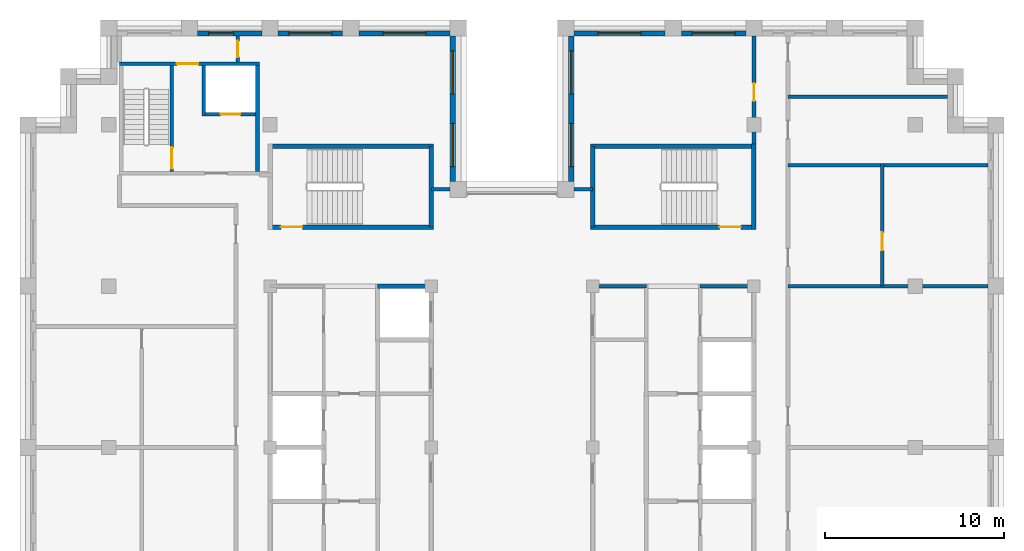
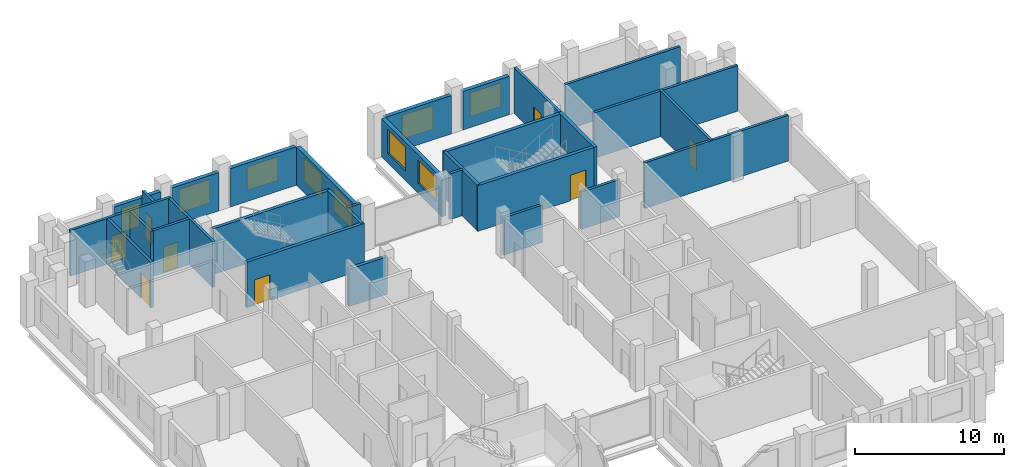
# One storey, part 10 of 13: 30 walls, 9 windows, 8 doors, 17 openings.
"""IFC4 building model written with IfcOpenShell, lengths in metres."""

from ifc_helpers import new_model, si_unit, direction, frame, frame_2d, origin, place, context, subcontext, project, spatial, rectangle, extrude, material, layer, layer_set, type_object, element, fill, save


model = new_model("IFC4")

# Units and contexts
model_context = context("Model", 3, precision=1e-05, world=origin(), true_north=direction((0.0, 1.0)))
body_context = subcontext(model_context, "Body", "Model", "MODEL_VIEW")
ifc_project = project(units=[si_unit("LENGTHUNIT", "METRE"), si_unit("AREAUNIT", "SQUARE_METRE"), si_unit("VOLUMEUNIT", "CUBIC_METRE"), si_unit("PLANEANGLEUNIT", "RADIAN"), si_unit("MASSUNIT", "GRAM", prefix="KILO")], contexts=[model_context])

# Site, building, storey
site_placement = place(None, origin())
site = spatial("IfcSite", under=ifc_project, at=site_placement, CompositionType="ELEMENT")
building_placement = place(site_placement, origin())
building = spatial("IfcBuilding", under=site, at=building_placement, Name="Corbelhall Arena Tower", CompositionType="ELEMENT")
storey_placement = place(building_placement, frame((0.0, 0.0, 304.0)))
storey = spatial("IfcBuildingStorey", under=building, at=storey_placement, Name="L66", CompositionType="ELEMENT", Elevation=304.0)

# Wall, opening, window
ifc_material_1 = material(Name="Precast concrete C40/50 with granite facing", Category="masonry")
ifc_layer_1 = layer(ifc_material_1, 0.300048828125)
ifc_layer_set_1 = layer_set([ifc_layer_1], Name="EV-IW1 Infill panel 300")
wall_type_1 = type_object("IfcWallType", Name="EV-IW1 Infill panel 300", PredefinedType="SOLIDWALL", material=ifc_layer_set_1)
wall_1_placement = place(storey_placement, frame((13.050048828125, 23.10009765625, 0.0), z_axis=(0.0, 0.0, 1.0), x_axis=(-1.0, 0.0, 0.0)))
wall_1 = element("IfcWall", 1, at=wall_1_placement, inside=storey, type_object=wall_type_1, Name="Infill panel IW1", PredefinedType="SOLIDWALL", context=body_context, shape_type="SweptSolid", body=[
    extrude(rectangle(XDim=3.60009765625, YDim=0.300048828125, at=frame_2d((1.800048828125, 0.0))), origin(), (0.0, 0.0, 1.0), 3.139892578125),
])
opening_1_placement = place(wall_1_placement, frame((0.60009765625, 0.0, 0.800048828125)))
opening_1 = element("IfcOpeningElement", 2, at=opening_1_placement, cuts=wall_1, Name="Opening WN1", PredefinedType="OPENING", context=body_context, shape_type="SweptSolid", body=[
    extrude(rectangle(XDim=2.39990234375, YDim=1.949951171875, at=frame_2d((1.199951171875, 0.97509765625))), frame((0.0, 0.14990234375, 0.0), z_axis=(0.0, -1.0, 0.0), x_axis=(1.0, 0.0, 0.0)), (0.0, 0.0, 1.0), 0.300048828125),
])
ifc_material_2 = material(Name="Aluminium black anodised", Category="aluminium")
window_type_1 = type_object("IfcWindowType", Name="EV-WN1 Office window", PartitioningType="SINGLE_PANEL", PredefinedType="WINDOW", material=ifc_material_2)
window_1_placement = place(opening_1_placement, origin())
window_1 = element("IfcWindow", 3, at=window_1_placement, inside=storey, type_object=window_type_1, Name="Window WN1", OverallHeight=1.949951171875, OverallWidth=2.39990234375, PartitioningType="SINGLE_PANEL", PredefinedType="WINDOW", context=body_context, shape_type="SweptSolid", body=[
    extrude(rectangle(XDim=2.39990234375, YDim=1.949951171875, at=frame_2d((1.199951171875, 0.97509765625))), frame((0.0, 0.030029296875, 0.0), z_axis=(0.0, -1.0, 0.0), x_axis=(1.0, 0.0, 0.0)), (0.0, 0.0, 1.0), 0.06005859375),
])
fill(opening_1, window_1)

wall_2_placement = place(storey_placement, frame((8.550048828125, 23.10009765625, 0.0), z_axis=(0.0, 0.0, 1.0), x_axis=(-1.0, 0.0, 0.0)))
wall_2 = element("IfcWall", 4, at=wall_2_placement, inside=storey, type_object=wall_type_1, Name="Infill panel IW1", PredefinedType="SOLIDWALL", context=body_context, shape_type="SweptSolid", body=[
    extrude(rectangle(XDim=5.10009765625, YDim=0.300048828125, at=frame_2d((2.550048828125, 0.0))), origin(), (0.0, 0.0, 1.0), 3.139892578125),
])
opening_2_placement = place(wall_2_placement, frame((1.35009765625, 0.0, 0.800048828125)))
opening_2 = element("IfcOpeningElement", 5, at=opening_2_placement, cuts=wall_2, Name="Opening WN1", PredefinedType="OPENING", context=body_context, shape_type="SweptSolid", body=[
    extrude(rectangle(XDim=2.39990234375, YDim=1.949951171875, at=frame_2d((1.199951171875, 0.97509765625))), frame((0.0, 0.14990234375, 0.0), z_axis=(0.0, -1.0, 0.0), x_axis=(1.0, 0.0, 0.0)), (0.0, 0.0, 1.0), 0.300048828125),
])
window_2_placement = place(opening_2_placement, origin())
window_2 = element("IfcWindow", 6, at=window_2_placement, inside=storey, type_object=window_type_1, Name="Window WN1", OverallHeight=1.949951171875, OverallWidth=2.39990234375, PartitioningType="SINGLE_PANEL", PredefinedType="WINDOW", context=body_context, shape_type="SweptSolid", body=[
    extrude(rectangle(XDim=2.39990234375, YDim=1.949951171875, at=frame_2d((1.199951171875, 0.97509765625))), frame((0.0, 0.030029296875, 0.0), z_axis=(0.0, -1.0, 0.0), x_axis=(1.0, 0.0, 0.0)), (0.0, 0.0, 1.0), 0.06005859375),
])
fill(opening_2, window_2)

# Wall, openings, windows
wall_3_placement = place(storey_placement, frame((3.300048828125, 22.949951171875, 0.0), z_axis=(0.0, 0.0, 1.0), x_axis=(0.0, -1.0, 0.0)))
wall_3 = element("IfcWall", 7, at=wall_3_placement, inside=storey, type_object=wall_type_1, Name="Infill panel IW1", PredefinedType="SOLIDWALL", context=body_context, shape_type="SweptSolid", body=[
    extrude(rectangle(XDim=8.099853515625, YDim=0.300048828125, at=frame_2d((4.0498046875, 0.0))), origin(), (0.0, 0.0, 1.0), 3.139892578125),
])
opening_3_placement = place(wall_3_placement, frame((0.824951171875, 0.0, 0.800048828125)))
opening_3 = element("IfcOpeningElement", 8, at=opening_3_placement, cuts=wall_3, Name="Opening WN1", PredefinedType="OPENING", context=body_context, shape_type="SweptSolid", body=[
    extrude(rectangle(XDim=2.39990234375, YDim=1.949951171875, at=frame_2d((1.199951171875, 0.97509765625))), frame((0.0, 0.14990234375, 0.0), z_axis=(0.0, -1.0, 0.0), x_axis=(1.0, 0.0, 0.0)), (0.0, 0.0, 1.0), 0.300048828125),
])
opening_4_placement = place(wall_3_placement, frame((4.875, 0.0, 0.800048828125)))
opening_4 = element("IfcOpeningElement", 9, at=opening_4_placement, cuts=wall_3, Name="Opening WN1", PredefinedType="OPENING", context=body_context, shape_type="SweptSolid", body=[
    extrude(rectangle(XDim=2.39990234375, YDim=1.949951171875, at=frame_2d((1.199951171875, 0.97509765625))), frame((0.0, 0.14990234375, 0.0), z_axis=(0.0, -1.0, 0.0), x_axis=(1.0, 0.0, 0.0)), (0.0, 0.0, 1.0), 0.300048828125),
])
window_3_placement = place(opening_3_placement, origin())
window_3 = element("IfcWindow", 10, at=window_3_placement, inside=storey, type_object=window_type_1, Name="Window WN1", OverallHeight=1.949951171875, OverallWidth=2.39990234375, PartitioningType="SINGLE_PANEL", PredefinedType="WINDOW", context=body_context, shape_type="SweptSolid", body=[
    extrude(rectangle(XDim=2.39990234375, YDim=1.949951171875, at=frame_2d((1.199951171875, 0.97509765625))), frame((0.0, 0.030029296875, 0.0), z_axis=(0.0, -1.0, 0.0), x_axis=(1.0, 0.0, 0.0)), (0.0, 0.0, 1.0), 0.06005859375),
])
fill(opening_3, window_3)
window_4_placement = place(opening_4_placement, origin())
window_4 = element("IfcWindow", 11, at=window_4_placement, inside=storey, type_object=window_type_1, Name="Window WN1", OverallHeight=1.949951171875, OverallWidth=2.39990234375, PartitioningType="SINGLE_PANEL", PredefinedType="WINDOW", context=body_context, shape_type="SweptSolid", body=[
    extrude(rectangle(XDim=2.39990234375, YDim=1.949951171875, at=frame_2d((1.199951171875, 0.97509765625))), frame((0.0, 0.030029296875, 0.0), z_axis=(0.0, -1.0, 0.0), x_axis=(1.0, 0.0, 0.0)), (0.0, 0.0, 1.0), 0.06005859375),
])
fill(opening_4, window_4)

wall_4_placement = place(storey_placement, frame((-3.300048828125, 14.85009765625, 0.0), z_axis=(0.0, 0.0, 1.0), x_axis=(0.0, 1.0, 0.0)))
wall_4 = element("IfcWall", 12, at=wall_4_placement, inside=storey, type_object=wall_type_1, Name="Infill panel IW1", PredefinedType="SOLIDWALL", context=body_context, shape_type="SweptSolid", body=[
    extrude(rectangle(XDim=8.099853515625, YDim=0.300048828125, at=frame_2d((4.0498046875, 0.0))), origin(), (0.0, 0.0, 1.0), 3.139892578125),
])
opening_5_placement = place(wall_4_placement, frame((0.824951171875, 0.0, 0.800048828125)))
opening_5 = element("IfcOpeningElement", 13, at=opening_5_placement, cuts=wall_4, Name="Opening WN1", PredefinedType="OPENING", context=body_context, shape_type="SweptSolid", body=[
    extrude(rectangle(XDim=2.39990234375, YDim=1.949951171875, at=frame_2d((1.199951171875, 0.97509765625))), frame((0.0, 0.14990234375, 0.0), z_axis=(0.0, -1.0, 0.0), x_axis=(1.0, 0.0, 0.0)), (0.0, 0.0, 1.0), 0.300048828125),
])
opening_6_placement = place(wall_4_placement, frame((4.875, 0.0, 0.800048828125)))
opening_6 = element("IfcOpeningElement", 14, at=opening_6_placement, cuts=wall_4, Name="Opening WN1", PredefinedType="OPENING", context=body_context, shape_type="SweptSolid", body=[
    extrude(rectangle(XDim=2.39990234375, YDim=1.949951171875, at=frame_2d((1.199951171875, 0.97509765625))), frame((0.0, 0.14990234375, 0.0), z_axis=(0.0, -1.0, 0.0), x_axis=(1.0, 0.0, 0.0)), (0.0, 0.0, 1.0), 0.300048828125),
])
window_5_placement = place(opening_5_placement, origin())
window_5 = element("IfcWindow", 15, at=window_5_placement, inside=storey, type_object=window_type_1, Name="Window WN1", OverallHeight=1.949951171875, OverallWidth=2.39990234375, PartitioningType="SINGLE_PANEL", PredefinedType="WINDOW", context=body_context, shape_type="SweptSolid", body=[
    extrude(rectangle(XDim=2.39990234375, YDim=1.949951171875, at=frame_2d((1.199951171875, 0.97509765625))), frame((0.0, 0.030029296875, 0.0), z_axis=(0.0, -1.0, 0.0), x_axis=(1.0, 0.0, 0.0)), (0.0, 0.0, 1.0), 0.06005859375),
])
fill(opening_5, window_5)
window_6_placement = place(opening_6_placement, origin())
window_6 = element("IfcWindow", 16, at=window_6_placement, inside=storey, type_object=window_type_1, Name="Window WN1", OverallHeight=1.949951171875, OverallWidth=2.39990234375, PartitioningType="SINGLE_PANEL", PredefinedType="WINDOW", context=body_context, shape_type="SweptSolid", body=[
    extrude(rectangle(XDim=2.39990234375, YDim=1.949951171875, at=frame_2d((1.199951171875, 0.97509765625))), frame((0.0, 0.030029296875, 0.0), z_axis=(0.0, -1.0, 0.0), x_axis=(1.0, 0.0, 0.0)), (0.0, 0.0, 1.0), 0.06005859375),
])
fill(opening_6, window_6)

# Wall, opening, window
wall_5_placement = place(storey_placement, frame((-3.449951171875, 23.10009765625, 0.0), z_axis=(0.0, 0.0, 1.0), x_axis=(-1.0, 0.0, 0.0)))
wall_5 = element("IfcWall", 17, at=wall_5_placement, inside=storey, type_object=wall_type_1, Name="Infill panel IW1", PredefinedType="SOLIDWALL", context=body_context, shape_type="SweptSolid", body=[
    extrude(rectangle(XDim=5.10009765625, YDim=0.300048828125, at=frame_2d((2.550048828125, 0.0))), origin(), (0.0, 0.0, 1.0), 3.139892578125),
])
opening_7_placement = place(wall_5_placement, frame((1.35009765625, 0.0, 0.800048828125)))
opening_7 = element("IfcOpeningElement", 18, at=opening_7_placement, cuts=wall_5, Name="Opening WN1", PredefinedType="OPENING", context=body_context, shape_type="SweptSolid", body=[
    extrude(rectangle(XDim=2.39990234375, YDim=1.949951171875, at=frame_2d((1.199951171875, 0.97509765625))), frame((0.0, 0.14990234375, 0.0), z_axis=(0.0, -1.0, 0.0), x_axis=(1.0, 0.0, 0.0)), (0.0, 0.0, 1.0), 0.300048828125),
])
window_7_placement = place(opening_7_placement, origin())
window_7 = element("IfcWindow", 19, at=window_7_placement, inside=storey, type_object=window_type_1, Name="Window WN1", OverallHeight=1.949951171875, OverallWidth=2.39990234375, PartitioningType="SINGLE_PANEL", PredefinedType="WINDOW", context=body_context, shape_type="SweptSolid", body=[
    extrude(rectangle(XDim=2.39990234375, YDim=1.949951171875, at=frame_2d((1.199951171875, 0.97509765625))), frame((0.0, 0.030029296875, 0.0), z_axis=(0.0, -1.0, 0.0), x_axis=(1.0, 0.0, 0.0)), (0.0, 0.0, 1.0), 0.06005859375),
])
fill(opening_7, window_7)

wall_6_placement = place(storey_placement, frame((-9.449951171875, 23.10009765625, 0.0), z_axis=(0.0, 0.0, 1.0), x_axis=(-1.0, 0.0, 0.0)))
wall_6 = element("IfcWall", 20, at=wall_6_placement, inside=storey, type_object=wall_type_1, Name="Infill panel IW1", PredefinedType="SOLIDWALL", context=body_context, shape_type="SweptSolid", body=[
    extrude(rectangle(XDim=3.60009765625, YDim=0.300048828125, at=frame_2d((1.800048828125, 0.0))), origin(), (0.0, 0.0, 1.0), 3.139892578125),
])
opening_8_placement = place(wall_6_placement, frame((0.60009765625, 0.0, 0.800048828125)))
opening_8 = element("IfcOpeningElement", 21, at=opening_8_placement, cuts=wall_6, Name="Opening WN1", PredefinedType="OPENING", context=body_context, shape_type="SweptSolid", body=[
    extrude(rectangle(XDim=2.39990234375, YDim=1.949951171875, at=frame_2d((1.199951171875, 0.97509765625))), frame((0.0, 0.14990234375, 0.0), z_axis=(0.0, -1.0, 0.0), x_axis=(1.0, 0.0, 0.0)), (0.0, 0.0, 1.0), 0.300048828125),
])
window_8_placement = place(opening_8_placement, origin())
window_8 = element("IfcWindow", 22, at=window_8_placement, inside=storey, type_object=window_type_1, Name="Window WN1", OverallHeight=1.949951171875, OverallWidth=2.39990234375, PartitioningType="SINGLE_PANEL", PredefinedType="WINDOW", context=body_context, shape_type="SweptSolid", body=[
    extrude(rectangle(XDim=2.39990234375, YDim=1.949951171875, at=frame_2d((1.199951171875, 0.97509765625))), frame((0.0, 0.030029296875, 0.0), z_axis=(0.0, -1.0, 0.0), x_axis=(1.0, 0.0, 0.0)), (0.0, 0.0, 1.0), 0.06005859375),
])
fill(opening_8, window_8)

wall_7_placement = place(storey_placement, frame((-13.949951171875, 23.10009765625, 0.0), z_axis=(0.0, 0.0, 1.0), x_axis=(-1.0, 0.0, 0.0)))
wall_7 = element("IfcWall", 23, at=wall_7_placement, inside=storey, type_object=wall_type_1, Name="Infill panel IW1", PredefinedType="SOLIDWALL", context=body_context, shape_type="SweptSolid", body=[
    extrude(rectangle(XDim=3.60009765625, YDim=0.300048828125, at=frame_2d((1.800048828125, 0.0))), origin(), (0.0, 0.0, 1.0), 3.139892578125),
])
opening_9_placement = place(wall_7_placement, frame((1.574951171875, 0.0, 0.800048828125)))
opening_9 = element("IfcOpeningElement", 24, at=opening_9_placement, cuts=wall_7, Name="Opening WN7", PredefinedType="OPENING", context=body_context, shape_type="SweptSolid", body=[
    extrude(rectangle(XDim=1.39990234375, YDim=1.949951171875, at=frame_2d((0.699951171875, 0.97509765625))), frame((0.0, 0.14990234375, 0.0), z_axis=(0.0, -1.0, 0.0), x_axis=(1.0, 0.0, 0.0)), (0.0, 0.0, 1.0), 0.300048828125),
])
window_type_2 = type_object("IfcWindowType", Name="EV-WN7 Office window 1400", PartitioningType="SINGLE_PANEL", PredefinedType="WINDOW", material=ifc_material_2)
window_9_placement = place(opening_9_placement, origin())
window_9 = element("IfcWindow", 25, at=window_9_placement, inside=storey, type_object=window_type_2, Name="Window WN7", OverallHeight=1.949951171875, OverallWidth=1.39990234375, PartitioningType="SINGLE_PANEL", PredefinedType="WINDOW", context=body_context, shape_type="SweptSolid", body=[
    extrude(rectangle(XDim=1.39990234375, YDim=1.949951171875, at=frame_2d((0.699951171875, 0.97509765625))), frame((0.0, 0.030029296875, 0.0), z_axis=(0.0, -1.0, 0.0), x_axis=(1.0, 0.0, 0.0)), (0.0, 0.0, 1.0), 0.06005859375),
])
fill(opening_9, window_9)

# Wall, opening, door
ifc_material_3 = material(Name="Gypsum board on steel stud, acoustic", Category="steel")
ifc_layer_2 = layer(ifc_material_3, 0.199951171875)
ifc_layer_set_2 = layer_set([ifc_layer_2], Name="IN-W-DM200")
wall_type_2 = type_object("IfcWallType", Name="IN-W-DM200", PredefinedType="PARTITIONING", material=ifc_layer_set_2)
wall_8_placement = place(storey_placement, frame((-15.300048828125, 22.949951171875, 0.0), z_axis=(0.0, 0.0, 1.0), x_axis=(0.0, -1.0, 0.0)))
wall_8 = element("IfcWall", 26, at=wall_8_placement, inside=storey, type_object=wall_type_2, Name="Partition 011", PredefinedType="PARTITIONING", context=body_context, shape_type="SweptSolid", body=[
    extrude(rectangle(XDim=1.449951171875, YDim=0.199951171875, at=frame_2d((0.72509765625, 0.0))), origin(), (0.0, 0.0, 1.0), 3.739990234375),
])
opening_10_placement = place(wall_8_placement, frame((0.27001953125, 0.0, 0.0)))
opening_10 = element("IfcOpeningElement", 27, at=opening_10_placement, cuts=wall_8, Name="Opening 21037", PredefinedType="OPENING", context=body_context, shape_type="SweptSolid", body=[
    extrude(rectangle(XDim=0.89990234375, YDim=2.10009765625, at=frame_2d((0.449951171875, 1.050048828125))), frame((0.0, 0.10009765625, 0.0), z_axis=(0.0, -1.0, 0.0), x_axis=(1.0, 0.0, 0.0)), (0.0, 0.0, 1.0), 0.199951171875),
])
ifc_material_4 = material(Name="Timber door set", Category="wood")
door_type_1 = type_object("IfcDoorType", Name="IN-D-SW90", OperationType="NOTDEFINED", PredefinedType="DOOR", material=ifc_material_4)
door_1_placement = place(opening_10_placement, origin())
door_1 = element("IfcDoor", 28, at=door_1_placement, inside=storey, type_object=door_type_1, Name="Door 037", OperationType="SINGLE_SWING_LEFT", OverallHeight=2.10009765625, OverallWidth=0.89990234375, PredefinedType="DOOR", context=body_context, shape_type="SweptSolid", body=[
    extrude(rectangle(XDim=0.89990234375, YDim=2.10009765625, at=frame_2d((0.449951171875, 1.050048828125))), frame((0.0, 0.02490234375, 0.0), z_axis=(0.0, -1.0, 0.0), x_axis=(1.0, 0.0, 0.0)), (0.0, 0.0, 1.0), 0.050048828125),
])
fill(opening_10, door_1)

# Walls
for number, where, z_axis, x_axis, name in (
    (29, (-4.5, 14.39990234375, 0.0), (0.0, 0.0, 1.0), (1.0, 0.0, 0.0), "Partition 014"),
    (30, (3.449951171875, 14.39990234375, 0.0), (0.0, 0.0, 1.0), (1.0, 0.0, 0.0), "Partition 016"),
):
    element("IfcWall", number, at=place(storey_placement, frame(where, z_axis=z_axis, x_axis=x_axis)), inside=storey, type_object=wall_type_2, Name=name, PredefinedType="PARTITIONING", context=body_context, shape_type="SweptSolid", body=[
        extrude(rectangle(XDim=1.050048828125, YDim=0.199951171875, at=frame_2d((0.52490234375, 0.0))), origin(), (0.0, 0.0, 1.0), 3.739990234375),
    ])

# Wall, opening, door
wall_9_placement = place(storey_placement, frame((13.5, 16.675048828125, 0.0), z_axis=(0.0, 0.0, 1.0), x_axis=(0.0, 1.0, 0.0)))
wall_9 = element("IfcWall", 31, at=wall_9_placement, inside=storey, type_object=wall_type_2, Name="Partition 019", PredefinedType="PARTITIONING", context=body_context, shape_type="SweptSolid", body=[
    extrude(rectangle(XDim=6.27490234375, YDim=0.199951171875, at=frame_2d((3.137451171875, 0.0))), origin(), (0.0, 0.0, 1.0), 3.739990234375),
])
opening_11_placement = place(wall_9_placement, frame((2.64990234375, 0.0, 0.0)))
opening_11 = element("IfcOpeningElement", 32, at=opening_11_placement, cuts=wall_9, Name="Opening 21018", PredefinedType="OPENING", context=body_context, shape_type="SweptSolid", body=[
    extrude(rectangle(XDim=1.0, YDim=2.10009765625, at=frame_2d((0.5, 1.050048828125))), frame((0.0, 0.10009765625, 0.0), z_axis=(0.0, -1.0, 0.0), x_axis=(1.0, 0.0, 0.0)), (0.0, 0.0, 1.0), 0.199951171875),
])
ifc_material_5 = material(Name="Steel door set", Category="steel")
door_type_2 = type_object("IfcDoorType", Name="IN-D-SW100", OperationType="NOTDEFINED", PredefinedType="DOOR", material=ifc_material_5)
door_2_placement = place(opening_11_placement, origin())
door_2 = element("IfcDoor", 33, at=door_2_placement, inside=storey, type_object=door_type_2, Name="Door 018", OperationType="SINGLE_SWING_LEFT", OverallHeight=2.10009765625, OverallWidth=1.0, PredefinedType="DOOR", context=body_context, shape_type="SweptSolid", body=[
    extrude(rectangle(XDim=1.0, YDim=2.10009765625, at=frame_2d((0.5, 1.050048828125))), frame((0.0, 0.02490234375, 0.0), z_axis=(0.0, -1.0, 0.0), x_axis=(1.0, 0.0, 0.0)), (0.0, 0.0, 1.0), 0.050048828125),
])
fill(opening_11, door_2)

# Walls
for number, where, z_axis, x_axis, name in (
    (34, (15.39990234375, 9.0, 0.0), (0.0, 0.0, 1.0), (1.0, 0.0, 0.0), "Partition 022"),
    (35, (15.39990234375, 15.75, 0.0), (0.0, 0.0, 1.0), (1.0, 0.0, 0.0), "Partition 023"),
):
    element("IfcWall", number, at=place(storey_placement, frame(where, z_axis=z_axis, x_axis=x_axis)), inside=storey, type_object=wall_type_2, Name=name, PredefinedType="PARTITIONING", context=body_context, shape_type="SweptSolid", body=[
        extrude(rectangle(XDim=11.150146484375, YDim=0.199951171875, at=frame_2d((5.5751953125, 0.0))), origin(), (0.0, 0.0, 1.0), 3.739990234375),
    ])
wall_10_placement = place(storey_placement, frame((15.39990234375, 19.574951171875, 0.0), z_axis=(0.0, 0.0, 1.0), x_axis=(1.0, 0.0, 0.0)))
element("IfcWall", 36, at=wall_10_placement, inside=storey, type_object=wall_type_2, Name="Partition 024", PredefinedType="PARTITIONING", context=body_context, shape_type="SweptSolid", body=[
    extrude(rectangle(XDim=8.900146484375, YDim=0.199951171875, at=frame_2d((4.4501953125, 0.0))), origin(), (0.0, 0.0, 1.0), 3.739990234375),
])

# Wall, opening, door
wall_11_placement = place(storey_placement, frame((20.64990234375, 15.85009765625, 0.0), z_axis=(0.0, 0.0, 1.0), x_axis=(0.0, -1.0, 0.0)))
wall_11 = element("IfcWall", 37, at=wall_11_placement, inside=storey, type_object=wall_type_2, Name="Partition 025", PredefinedType="PARTITIONING", context=body_context, shape_type="SweptSolid", body=[
    extrude(rectangle(XDim=6.85009765625, YDim=0.199951171875, at=frame_2d((3.425048828125, 0.0))), origin(), (0.0, 0.0, 1.0), 3.739990234375),
])
opening_12_placement = place(wall_11_placement, frame((3.85009765625, 0.0, 0.0)))
opening_12 = element("IfcOpeningElement", 38, at=opening_12_placement, cuts=wall_11, Name="Opening 21031", PredefinedType="OPENING", context=body_context, shape_type="SweptSolid", body=[
    extrude(rectangle(XDim=1.0, YDim=2.10009765625, at=frame_2d((0.5, 1.050048828125))), frame((0.0, 0.10009765625, 0.0), z_axis=(0.0, -1.0, 0.0), x_axis=(1.0, 0.0, 0.0)), (0.0, 0.0, 1.0), 0.199951171875),
])
door_3_placement = place(opening_12_placement, origin())
door_3 = element("IfcDoor", 39, at=door_3_placement, inside=storey, type_object=door_type_2, Name="Door 031", OperationType="SINGLE_SWING_RIGHT", OverallHeight=2.10009765625, OverallWidth=1.0, PredefinedType="DOOR", context=body_context, shape_type="SweptSolid", body=[
    extrude(rectangle(XDim=1.0, YDim=2.10009765625, at=frame_2d((0.5, 1.050048828125))), frame((0.0, 0.02490234375, 0.0), z_axis=(0.0, -1.0, 0.0), x_axis=(1.0, 0.0, 0.0)), (0.0, 0.0, 1.0), 0.050048828125),
])
fill(opening_12, door_3)

ifc_material_6 = material(Name="Concrete C40/50", Category="concrete")
ifc_layer_3 = layer(ifc_material_6, 0.199951171875)
ifc_layer_set_3 = layer_set([ifc_layer_3], Name="IN-W-EAR200")
wall_type_3 = type_object("IfcWallType", Name="IN-W-EAR200", PredefinedType="SOLIDWALL", material=ifc_layer_set_3)
wall_12_placement = place(storey_placement, frame((-21.89990234375, 21.39990234375, 0.0), z_axis=(0.0, 0.0, 1.0), x_axis=(1.0, 0.0, 0.0)))
wall_12 = element("IfcWall", 40, at=wall_12_placement, inside=storey, type_object=wall_type_3, Name="Fire service turret wall north", PredefinedType="SOLIDWALL", context=body_context, shape_type="SweptSolid", body=[
    extrude(rectangle(XDim=7.7998046875, YDim=0.199951171875, at=frame_2d((3.89990234375, 0.0))), origin(), (0.0, 0.0, 1.0), 3.739990234375),
])
opening_13_placement = place(wall_12_placement, frame((3.199951171875, 0.0, 0.0)))
opening_13 = element("IfcOpeningElement", 41, at=opening_13_placement, cuts=wall_12, Name="Opening E213", PredefinedType="OPENING", context=body_context, shape_type="SweptSolid", body=[
    extrude(rectangle(XDim=1.199951171875, YDim=2.10009765625, at=frame_2d((0.60009765625, 1.050048828125))), frame((0.0, 0.10009765625, 0.0), z_axis=(0.0, -1.0, 0.0), x_axis=(1.0, 0.0, 0.0)), (0.0, 0.0, 1.0), 0.199951171875),
])
door_type_3 = type_object("IfcDoorType", Name="IN-D-ST120", OperationType="NOTDEFINED", PredefinedType="DOOR", material=ifc_material_5)
door_4_placement = place(opening_13_placement, origin())
door_4 = element("IfcDoor", 42, at=door_4_placement, inside=storey, type_object=door_type_3, Name="Door from fire service lift lobby to the north gallery", OperationType="SINGLE_SWING_LEFT", OverallHeight=2.10009765625, OverallWidth=1.199951171875, PredefinedType="DOOR", context=body_context, shape_type="SweptSolid", body=[
    extrude(rectangle(XDim=1.199951171875, YDim=2.10009765625, at=frame_2d((0.60009765625, 1.050048828125))), frame((0.0, 0.02490234375, 0.0), z_axis=(0.0, -1.0, 0.0), x_axis=(1.0, 0.0, 0.0)), (0.0, 0.0, 1.0), 0.050048828125),
])
fill(opening_13, door_4)

# Wall
wall_13_placement = place(storey_placement, frame((-14.199951171875, 15.39990234375, 0.0), z_axis=(0.0, 0.0, 1.0), x_axis=(0.0, 1.0, 0.0)))
element("IfcWall", 43, at=wall_13_placement, inside=storey, type_object=wall_type_3, Name="Fire service turret wall east", PredefinedType="SOLIDWALL", context=body_context, shape_type="SweptSolid", body=[
    extrude(rectangle(XDim=5.900146484375, YDim=0.199951171875, at=frame_2d((2.9501953125, 0.0))), origin(), (0.0, 0.0, 1.0), 3.739990234375),
])

# Wall, opening, door
wall_14_placement = place(storey_placement, frame((-18.989990234375, 15.39990234375, 0.0), z_axis=(0.0, 0.0, 1.0), x_axis=(0.0, 1.0, 0.0)))
wall_14 = element("IfcWall", 44, at=wall_14_placement, inside=storey, type_object=wall_type_3, Name="Fire service turret wall stair", PredefinedType="SOLIDWALL", context=body_context, shape_type="SweptSolid", body=[
    extrude(rectangle(XDim=5.900146484375, YDim=0.199951171875, at=frame_2d((2.9501953125, 0.0))), origin(), (0.0, 0.0, 1.0), 3.739990234375),
])
opening_14_placement = place(wall_14_placement, frame((0.14990234375, 0.0, 0.0)))
opening_14 = element("IfcOpeningElement", 45, at=opening_14_placement, cuts=wall_14, Name="Opening E211", PredefinedType="OPENING", context=body_context, shape_type="SweptSolid", body=[
    extrude(rectangle(XDim=1.199951171875, YDim=2.10009765625, at=frame_2d((0.60009765625, 1.050048828125))), frame((0.0, 0.10009765625, 0.0), z_axis=(0.0, -1.0, 0.0), x_axis=(1.0, 0.0, 0.0)), (0.0, 0.0, 1.0), 0.199951171875),
])
door_5_placement = place(opening_14_placement, origin())
door_5 = element("IfcDoor", 46, at=door_5_placement, inside=storey, type_object=door_type_3, Name="Stair door to fire service lobby", OperationType="SINGLE_SWING_LEFT", OverallHeight=2.10009765625, OverallWidth=1.199951171875, PredefinedType="DOOR", context=body_context, shape_type="SweptSolid", body=[
    extrude(rectangle(XDim=1.199951171875, YDim=2.10009765625, at=frame_2d((0.60009765625, 1.050048828125))), frame((0.0, 0.02490234375, 0.0), z_axis=(0.0, -1.0, 0.0), x_axis=(1.0, 0.0, 0.0)), (0.0, 0.0, 1.0), 0.050048828125),
])
fill(opening_14, door_5)

# Wall
wall_15_placement = place(storey_placement, frame((-17.199951171875, 18.5, 0.0), z_axis=(0.0, 0.0, 1.0), x_axis=(0.0, 1.0, 0.0)))
element("IfcWall", 47, at=wall_15_placement, inside=storey, type_object=wall_type_3, Name="Fire service turret wall hoistway west", PredefinedType="SOLIDWALL", context=body_context, shape_type="SweptSolid", body=[
    extrude(rectangle(XDim=2.800048828125, YDim=0.199951171875, at=frame_2d((1.39990234375, 0.0))), origin(), (0.0, 0.0, 1.0), 3.739990234375),
])

# Wall, opening, door
wall_16_placement = place(storey_placement, frame((-17.10009765625, 18.60009765625, 0.0), z_axis=(0.0, 0.0, 1.0), x_axis=(1.0, 0.0, 0.0)))
wall_16 = element("IfcWall", 48, at=wall_16_placement, inside=storey, type_object=wall_type_3, Name="Fire service turret wall hoistway south", PredefinedType="SOLIDWALL", context=body_context, shape_type="SweptSolid", body=[
    extrude(rectangle(XDim=2.800048828125, YDim=0.199951171875, at=frame_2d((1.39990234375, 0.0))), origin(), (0.0, 0.0, 1.0), 3.739990234375),
])
opening_15_placement = place(wall_16_placement, frame((0.85009765625, 0.0, 0.0)))
opening_15 = element("IfcOpeningElement", 49, at=opening_15_placement, cuts=wall_16, Name="Opening LD", PredefinedType="OPENING", context=body_context, shape_type="SweptSolid", body=[
    extrude(rectangle(XDim=1.10009765625, YDim=2.10009765625, at=frame_2d((0.550048828125, 1.050048828125))), frame((0.0, 0.10009765625, 0.0), z_axis=(0.0, -1.0, 0.0), x_axis=(1.0, 0.0, 0.0)), (0.0, 0.0, 1.0), 0.199951171875),
])
door_type_4 = type_object("IfcDoorType", Name="IN-D-LD110", OperationType="NOTDEFINED", PredefinedType="DOOR", material=ifc_material_5)
door_6_placement = place(opening_15_placement, origin())
door_6 = element("IfcDoor", 50, at=door_6_placement, inside=storey, type_object=door_type_4, Name="Landing door FS1", OperationType="SLIDING_TO_LEFT", OverallHeight=2.10009765625, OverallWidth=1.10009765625, PredefinedType="DOOR", context=body_context, shape_type="SweptSolid", body=[
    extrude(rectangle(XDim=1.10009765625, YDim=2.10009765625, at=frame_2d((0.550048828125, 1.050048828125))), frame((0.0, 0.02490234375, 0.0), z_axis=(0.0, -1.0, 0.0), x_axis=(1.0, 0.0, 0.0)), (0.0, 0.0, 1.0), 0.050048828125),
])
fill(opening_15, door_6)

# Walls
ifc_material_7 = material(Name="Concrete block wall", Category="concrete")
ifc_layer_4 = layer(ifc_material_7, 0.199951171875)
ifc_layer_set_4 = layer_set([ifc_layer_4], Name="IN-W-RS200 under beam 678 mm")
wall_type_4 = type_object("IfcWallType", Name="IN-W-RS200 under beam 678 mm", PredefinedType="SOLIDWALL", material=ifc_layer_set_4)
for number, where, z_axis, x_axis, name in (
    (51, (4.5, 9.0, 0.0), (0.0, 0.0, 1.0), (1.0, 0.0, 0.0), "Partition 036"),
    (52, (10.5, 9.0, 0.0), (0.0, 0.0, 1.0), (1.0, 0.0, 0.0), "Partition 040"),
):
    element("IfcWall", number, at=place(storey_placement, frame(where, z_axis=z_axis, x_axis=x_axis)), inside=storey, type_object=wall_type_4, Name=name, PredefinedType="SOLIDWALL", context=body_context, shape_type="SweptSolid", body=[
        extrude(rectangle(XDim=3.0, YDim=0.199951171875, at=frame_2d((1.5, 0.0))), origin(), (0.0, 0.0, 1.0), 3.061767578125),
    ])
ifc_layer_5 = layer(ifc_material_6, 0.25)
ifc_layer_set_5 = layer_set([ifc_layer_5], Name="IN-W-SH250 under beam 678 mm")
wall_type_5 = type_object("IfcWallType", Name="IN-W-SH250 under beam 678 mm", PredefinedType="SOLIDWALL", material=ifc_layer_set_5)
wall_17_placement = place(storey_placement, frame((-7.5, 9.0, 0.0), z_axis=(0.0, 0.0, 1.0), x_axis=(1.0, 0.0, 0.0)))
element("IfcWall", 53, at=wall_17_placement, inside=storey, type_object=wall_type_5, Name="Shaft wall 052", PredefinedType="SOLIDWALL", context=body_context, shape_type="SweptSolid", body=[
    extrude(rectangle(XDim=3.0, YDim=0.25, at=frame_2d((1.5, 0.0))), origin(), (0.0, 0.0, 1.0), 3.061767578125),
])

# Wall, opening, door
ifc_layer_6 = layer(ifc_material_6, 0.25)
ifc_layer_set_6 = layer_set([ifc_layer_6], Name="IN-W-ST250")
wall_type_6 = type_object("IfcWallType", Name="IN-W-ST250", PredefinedType="SOLIDWALL", material=ifc_layer_set_6)
wall_18_placement = place(storey_placement, frame((-13.5, 12.300048828125, 0.0), z_axis=(0.0, 0.0, 1.0), x_axis=(1.0, 0.0, 0.0)))
wall_18 = element("IfcWall", 54, at=wall_18_placement, inside=storey, type_object=wall_type_6, Name="Shaft wall 066", PredefinedType="SOLIDWALL", context=body_context, shape_type="SweptSolid", body=[
    extrude(rectangle(XDim=9.125, YDim=0.25, at=frame_2d((4.5625, 0.0))), origin(), (0.0, 0.0, 1.0), 3.739990234375),
])
opening_16_placement = place(wall_18_placement, frame((0.60009765625, 0.0, 0.0)))
opening_16 = element("IfcOpeningElement", 55, at=opening_16_placement, cuts=wall_18, Name="Opening 21014", PredefinedType="OPENING", context=body_context, shape_type="SweptSolid", body=[
    extrude(rectangle(XDim=1.199951171875, YDim=2.10009765625, at=frame_2d((0.60009765625, 1.050048828125))), frame((0.0, 0.125, 0.0), z_axis=(0.0, -1.0, 0.0), x_axis=(1.0, 0.0, 0.0)), (0.0, 0.0, 1.0), 0.25),
])
door_7_placement = place(opening_16_placement, origin())
door_7 = element("IfcDoor", 56, at=door_7_placement, inside=storey, type_object=door_type_3, Name="Door 014", OperationType="SINGLE_SWING_LEFT", OverallHeight=2.10009765625, OverallWidth=1.199951171875, PredefinedType="DOOR", context=body_context, shape_type="SweptSolid", body=[
    extrude(rectangle(XDim=1.199951171875, YDim=2.10009765625, at=frame_2d((0.60009765625, 1.050048828125))), frame((0.0, 0.02490234375, 0.0), z_axis=(0.0, -1.0, 0.0), x_axis=(1.0, 0.0, 0.0)), (0.0, 0.0, 1.0), 0.050048828125),
])
fill(opening_16, door_7)

# Walls
wall_19_placement = place(storey_placement, frame((-13.5, 16.800048828125, 0.0), z_axis=(0.0, 0.0, 1.0), x_axis=(1.0, 0.0, 0.0)))
element("IfcWall", 57, at=wall_19_placement, inside=storey, type_object=wall_type_6, Name="Shaft wall 068", PredefinedType="SOLIDWALL", context=body_context, shape_type="SweptSolid", body=[
    extrude(rectangle(XDim=9.125, YDim=0.25, at=frame_2d((4.5625, 0.0))), origin(), (0.0, 0.0, 1.0), 3.739990234375),
])
wall_20_placement = place(storey_placement, frame((-4.5, 16.800048828125, 0.0), z_axis=(0.0, 0.0, 1.0), x_axis=(0.0, -1.0, 0.0)))
element("IfcWall", 58, at=wall_20_placement, inside=storey, type_object=wall_type_6, Name="Shaft wall 071", PredefinedType="SOLIDWALL", context=body_context, shape_type="SweptSolid", body=[
    extrude(rectangle(XDim=4.5, YDim=0.25, at=frame_2d((2.25, 0.0))), origin(), (0.0, 0.0, 1.0), 3.739990234375),
])

# Wall, opening, door
wall_21_placement = place(storey_placement, frame((4.375, 12.300048828125, 0.0), z_axis=(0.0, 0.0, 1.0), x_axis=(1.0, 0.0, 0.0)))
wall_21 = element("IfcWall", 59, at=wall_21_placement, inside=storey, type_object=wall_type_6, Name="Shaft wall 073", PredefinedType="SOLIDWALL", context=body_context, shape_type="SweptSolid", body=[
    extrude(rectangle(XDim=9.125, YDim=0.25, at=frame_2d((4.5625, 0.0))), origin(), (0.0, 0.0, 1.0), 3.739990234375),
])
opening_17_placement = place(wall_21_placement, frame((7.199951171875, 0.0, 0.0)))
opening_17 = element("IfcOpeningElement", 60, at=opening_17_placement, cuts=wall_21, Name="Opening 21016", PredefinedType="OPENING", context=body_context, shape_type="SweptSolid", body=[
    extrude(rectangle(XDim=1.199951171875, YDim=2.10009765625, at=frame_2d((0.60009765625, 1.050048828125))), frame((0.0, 0.125, 0.0), z_axis=(0.0, -1.0, 0.0), x_axis=(1.0, 0.0, 0.0)), (0.0, 0.0, 1.0), 0.25),
])
door_8_placement = place(opening_17_placement, origin())
door_8 = element("IfcDoor", 61, at=door_8_placement, inside=storey, type_object=door_type_3, Name="Door 016", OperationType="SINGLE_SWING_LEFT", OverallHeight=2.10009765625, OverallWidth=1.199951171875, PredefinedType="DOOR", context=body_context, shape_type="SweptSolid", body=[
    extrude(rectangle(XDim=1.199951171875, YDim=2.10009765625, at=frame_2d((0.60009765625, 1.050048828125))), frame((0.0, 0.02490234375, 0.0), z_axis=(0.0, -1.0, 0.0), x_axis=(1.0, 0.0, 0.0)), (0.0, 0.0, 1.0), 0.050048828125),
])
fill(opening_17, door_8)

# Walls
wall_22_placement = place(storey_placement, frame((4.375, 16.800048828125, 0.0), z_axis=(0.0, 0.0, 1.0), x_axis=(1.0, 0.0, 0.0)))
element("IfcWall", 62, at=wall_22_placement, inside=storey, type_object=wall_type_6, Name="Shaft wall 074", PredefinedType="SOLIDWALL", context=body_context, shape_type="SweptSolid", body=[
    extrude(rectangle(XDim=9.125, YDim=0.25, at=frame_2d((4.5625, 0.0))), origin(), (0.0, 0.0, 1.0), 3.739990234375),
])
wall_23_placement = place(storey_placement, frame((4.5, 12.300048828125, 0.0), z_axis=(0.0, 0.0, 1.0), x_axis=(0.0, 1.0, 0.0)))
element("IfcWall", 63, at=wall_23_placement, inside=storey, type_object=wall_type_6, Name="Shaft wall 076", PredefinedType="SOLIDWALL", context=body_context, shape_type="SweptSolid", body=[
    extrude(rectangle(XDim=4.5, YDim=0.25, at=frame_2d((2.25, 0.0))), origin(), (0.0, 0.0, 1.0), 3.739990234375),
])
wall_24_placement = place(storey_placement, frame((13.5, 12.175048828125, 0.0), z_axis=(0.0, 0.0, 1.0), x_axis=(0.0, 1.0, 0.0)))
element("IfcWall", 64, at=wall_24_placement, inside=storey, type_object=wall_type_6, Name="Shaft wall 080", PredefinedType="SOLIDWALL", context=body_context, shape_type="SweptSolid", body=[
    extrude(rectangle(XDim=4.75, YDim=0.25, at=frame_2d((2.375, 0.0))), origin(), (0.0, 0.0, 1.0), 3.739990234375),
])

save(model, "model.ifc")
